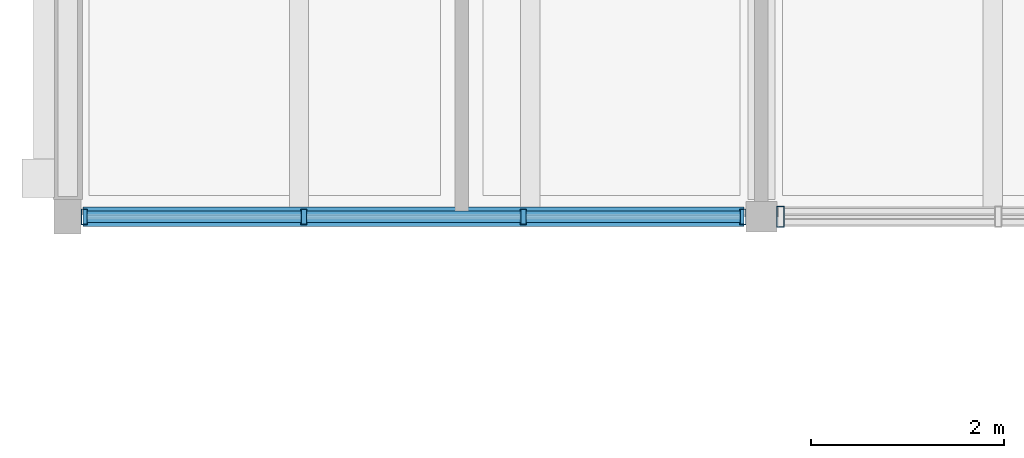
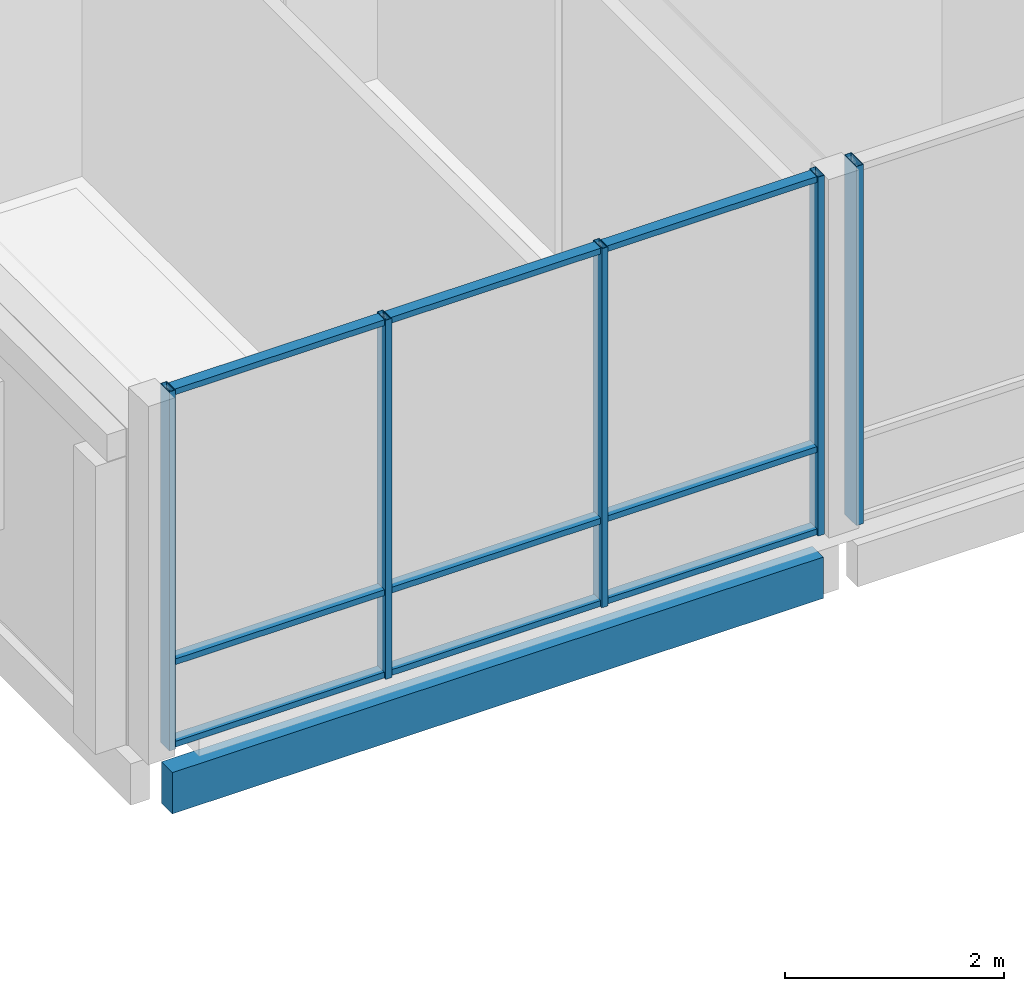
# One storey, part 9 of 115: 14 members, 1 beam, 2 elements without a shape of their own.
"""IFC4 building model written with IfcOpenShell, lengths in metres."""

from ifc_helpers import new_model, si_unit, direction, frame, origin, origin_2d, place, context, subcontext, project, spatial, rectangle, hollow_rectangle, extrude, material, material_profile, profile_set, type_object, element, aggregate, save


model = new_model("IFC4")

# Units and contexts
model_context = context("Model", 3, precision=1e-05, world=origin(), true_north=direction((0.0, 1.0)))
body_context = subcontext(model_context, "Body", "Model", "MODEL_VIEW")
ifc_project = project(units=[si_unit("LENGTHUNIT", "METRE"), si_unit("AREAUNIT", "SQUARE_METRE"), si_unit("VOLUMEUNIT", "CUBIC_METRE"), si_unit("PLANEANGLEUNIT", "RADIAN"), si_unit("MASSUNIT", "GRAM", prefix="KILO")], contexts=[model_context])

# Site, building, storey
site_placement = place(None, origin())
site = spatial("IfcSite", under=ifc_project, at=site_placement, CompositionType="ELEMENT")
building_placement = place(site_placement, origin())
building = spatial("IfcBuilding", under=site, at=building_placement, Name="Hawrajan Terrace Health Centre", CompositionType="ELEMENT")
storey_placement = place(building_placement, frame((0.0, 0.0, 9.0)))
storey = spatial("IfcBuildingStorey", under=building, at=storey_placement, Name="L02", CompositionType="ELEMENT", Elevation=9.0)

# Curtain wall, members
ifc_material_1 = material(Name="Anodized bronze aluminium and low-E solar glazing", Category="aluminium")
curtain_wall_type_1 = type_object("IfcCurtainWallType", Name="CW_Terrace_SeriesK1", PredefinedType="USERDEFINED", material=ifc_material_1)
curtain_wall_1_placement = place(storey_placement, origin())
curtain_wall_1 = element("IfcCurtainWall", 1, at=curtain_wall_1_placement, inside=storey, type_object=curtain_wall_type_1, Name="Curtain wall CW-L02-117", ObjectType="UNITISED CURTAIN WALL", PredefinedType="USERDEFINED")
ifc_material_2 = material(Name="Anodized bronze aluminium 6063-T6", Category="aluminium")
ifc_material_profile_1 = material_profile(ifc_material_2, hollow_rectangle(XDim=0.06494140625, YDim=0.159912109375, WallThickness=0.00390625, at=origin_2d()), Name="CW MUL 65x160")
ifc_profile_set_1 = profile_set([ifc_material_profile_1], Name="Anodized bronze aluminium 6063-T6")
member_type_1 = type_object("IfcMemberType", Name="CWMullion_65x160", PredefinedType="MULLION", material=ifc_profile_set_1)
member_1_placement = place(storey_placement, frame((4.7724609375, 27.199951171875, -0.0048828125), z_axis=(0.0, 0.0, 1.0), x_axis=(1.0, 0.0, 0.0)))
member_1 = element("IfcMember", 2, at=member_1_placement, type_object=member_type_1, Name="Mullion CW-L02-117-M1", PredefinedType="MULLION", context=body_context, shape_type="SweptSolid", body=[
    extrude(hollow_rectangle(XDim=0.06494140625, YDim=0.159912109375, WallThickness=0.00390625, at=origin_2d()), origin(), (0.0, 0.0, 1.0), 4.0),
])
member_2_placement = place(storey_placement, frame((7.05078125, 27.199951171875, -0.0048828125), z_axis=(0.0, 0.0, 1.0), x_axis=(1.0, 0.0, 0.0)))
member_2 = element("IfcMember", 3, at=member_2_placement, type_object=member_type_1, Name="Mullion CW-L02-117-M2", PredefinedType="MULLION", context=body_context, shape_type="SweptSolid", body=[
    extrude(hollow_rectangle(XDim=0.06494140625, YDim=0.159912109375, WallThickness=0.00390625, at=origin_2d()), origin(), (0.0, 0.0, 1.0), 4.0),
])
member_3_placement = place(storey_placement, frame((9.3291015625, 27.199951171875, -0.0048828125), z_axis=(0.0, 0.0, 1.0), x_axis=(1.0, 0.0, 0.0)))
member_3 = element("IfcMember", 4, at=member_3_placement, type_object=member_type_1, Name="Mullion CW-L02-117-M3", PredefinedType="MULLION", context=body_context, shape_type="SweptSolid", body=[
    extrude(hollow_rectangle(XDim=0.06494140625, YDim=0.159912109375, WallThickness=0.00390625, at=origin_2d()), origin(), (0.0, 0.0, 1.0), 4.0),
])
member_4_placement = place(storey_placement, frame((11.607421875, 27.199951171875, -0.0048828125), z_axis=(0.0, 0.0, 1.0), x_axis=(1.0, 0.0, 0.0)))
member_4 = element("IfcMember", 5, at=member_4_placement, type_object=member_type_1, Name="Mullion CW-L02-117-M4", PredefinedType="MULLION", context=body_context, shape_type="SweptSolid", body=[
    extrude(hollow_rectangle(XDim=0.06494140625, YDim=0.159912109375, WallThickness=0.00390625, at=origin_2d()), origin(), (0.0, 0.0, 1.0), 4.0),
])

# Curtain wall, member
curtain_wall_type_2 = type_object("IfcCurtainWallType", Name="CW_Diagnostic_SeriesM1", PredefinedType="USERDEFINED", material=ifc_material_1)
curtain_wall_2_placement = place(storey_placement, origin())
curtain_wall_2 = element("IfcCurtainWall", 6, at=curtain_wall_2_placement, inside=storey, type_object=curtain_wall_type_2, Name="Curtain wall CW-L02-119", ObjectType="UNITISED CURTAIN WALL", PredefinedType="USERDEFINED")
ifc_material_profile_2 = material_profile(ifc_material_2, hollow_rectangle(XDim=0.074951171875, YDim=0.219970703125, WallThickness=0.0048828125, at=origin_2d()), Name="CW MUL 75x220")
ifc_profile_set_2 = profile_set([ifc_material_profile_2], Name="Anodized bronze aluminium 6063-T6")
member_type_2 = type_object("IfcMemberType", Name="CWMullion_75x220", PredefinedType="MULLION", material=ifc_profile_set_2)
member_5_placement = place(storey_placement, frame((11.99755859375, 27.199951171875, -0.0048828125), z_axis=(0.0, 0.0, 1.0), x_axis=(1.0, 0.0, 0.0)))
member_5 = element("IfcMember", 7, at=member_5_placement, type_object=member_type_2, Name="Mullion CW-L02-119-M1", PredefinedType="MULLION", context=body_context, shape_type="SweptSolid", body=[
    extrude(hollow_rectangle(XDim=0.074951171875, YDim=0.219970703125, WallThickness=0.0048828125, at=origin_2d()), origin(), (0.0, 0.0, 1.0), 4.0),
])
aggregate(curtain_wall_2, [member_5])

# Member
ifc_material_profile_3 = material_profile(ifc_material_2, hollow_rectangle(XDim=0.06494140625, YDim=0.1201171875, WallThickness=0.00341796875, at=origin_2d()), Name="CW TRN 65x120")
ifc_profile_set_3 = profile_set([ifc_material_profile_3], Name="Anodized bronze aluminium 6063-T6")
member_type_3 = type_object("IfcMemberType", Name="CWTransom_65x120", PredefinedType="USERDEFINED", material=ifc_profile_set_3)
member_6_placement = place(storey_placement, frame((4.799072265625, 27.199951171875, 0.032470703125), z_axis=(1.0, 0.0, 0.0), x_axis=(0.0, 0.0, 1.0)))
member_6 = element("IfcMember", 8, at=member_6_placement, type_object=member_type_3, Name="Transom CW-L02-117-T1-1", ObjectType="TRANSOM", PredefinedType="USERDEFINED", context=body_context, shape_type="SweptSolid", body=[
    extrude(hollow_rectangle(XDim=0.06494140625, YDim=0.1201171875, WallThickness=0.00341796875, at=origin_2d()), origin(), (0.0, 0.0, 1.0), 2.225341796875),
])

member_7_placement = place(storey_placement, frame((4.799072265625, 27.199951171875, 0.949951171875), z_axis=(1.0, 0.0, 0.0), x_axis=(0.0, 0.0, 1.0)))
member_7 = element("IfcMember", 9, at=member_7_placement, type_object=member_type_3, Name="Transom CW-L02-117-T1-2", ObjectType="TRANSOM", PredefinedType="USERDEFINED", context=body_context, shape_type="SweptSolid", body=[
    extrude(hollow_rectangle(XDim=0.06494140625, YDim=0.1201171875, WallThickness=0.00341796875, at=origin_2d()), origin(), (0.0, 0.0, 1.0), 2.225341796875),
])

member_8_placement = place(storey_placement, frame((4.799072265625, 27.199951171875, 3.95751953125), z_axis=(1.0, 0.0, 0.0), x_axis=(0.0, 0.0, 1.0)))
member_8 = element("IfcMember", 10, at=member_8_placement, type_object=member_type_3, Name="Transom CW-L02-117-T1-3", ObjectType="TRANSOM", PredefinedType="USERDEFINED", context=body_context, shape_type="SweptSolid", body=[
    extrude(hollow_rectangle(XDim=0.06494140625, YDim=0.1201171875, WallThickness=0.00341796875, at=origin_2d()), origin(), (0.0, 0.0, 1.0), 2.225341796875),
])

member_9_placement = place(storey_placement, frame((7.077392578125, 27.199951171875, 0.032470703125), z_axis=(1.0, 0.0, 0.0), x_axis=(0.0, 0.0, 1.0)))
member_9 = element("IfcMember", 11, at=member_9_placement, type_object=member_type_3, Name="Transom CW-L02-117-T2-1", ObjectType="TRANSOM", PredefinedType="USERDEFINED", context=body_context, shape_type="SweptSolid", body=[
    extrude(hollow_rectangle(XDim=0.06494140625, YDim=0.1201171875, WallThickness=0.00341796875, at=origin_2d()), origin(), (0.0, 0.0, 1.0), 2.225341796875),
])

member_10_placement = place(storey_placement, frame((7.077392578125, 27.199951171875, 0.949951171875), z_axis=(1.0, 0.0, 0.0), x_axis=(0.0, 0.0, 1.0)))
member_10 = element("IfcMember", 12, at=member_10_placement, type_object=member_type_3, Name="Transom CW-L02-117-T2-2", ObjectType="TRANSOM", PredefinedType="USERDEFINED", context=body_context, shape_type="SweptSolid", body=[
    extrude(hollow_rectangle(XDim=0.06494140625, YDim=0.1201171875, WallThickness=0.00341796875, at=origin_2d()), origin(), (0.0, 0.0, 1.0), 2.225341796875),
])

member_11_placement = place(storey_placement, frame((7.077392578125, 27.199951171875, 3.95751953125), z_axis=(1.0, 0.0, 0.0), x_axis=(0.0, 0.0, 1.0)))
member_11 = element("IfcMember", 13, at=member_11_placement, type_object=member_type_3, Name="Transom CW-L02-117-T2-3", ObjectType="TRANSOM", PredefinedType="USERDEFINED", context=body_context, shape_type="SweptSolid", body=[
    extrude(hollow_rectangle(XDim=0.06494140625, YDim=0.1201171875, WallThickness=0.00341796875, at=origin_2d()), origin(), (0.0, 0.0, 1.0), 2.225341796875),
])

member_12_placement = place(storey_placement, frame((9.355712890625, 27.199951171875, 0.032470703125), z_axis=(1.0, 0.0, 0.0), x_axis=(0.0, 0.0, 1.0)))
member_12 = element("IfcMember", 14, at=member_12_placement, type_object=member_type_3, Name="Transom CW-L02-117-T3-1", ObjectType="TRANSOM", PredefinedType="USERDEFINED", context=body_context, shape_type="SweptSolid", body=[
    extrude(hollow_rectangle(XDim=0.06494140625, YDim=0.1201171875, WallThickness=0.00341796875, at=origin_2d()), origin(), (0.0, 0.0, 1.0), 2.225341796875),
])

member_13_placement = place(storey_placement, frame((9.355712890625, 27.199951171875, 0.949951171875), z_axis=(1.0, 0.0, 0.0), x_axis=(0.0, 0.0, 1.0)))
member_13 = element("IfcMember", 15, at=member_13_placement, type_object=member_type_3, Name="Transom CW-L02-117-T3-2", ObjectType="TRANSOM", PredefinedType="USERDEFINED", context=body_context, shape_type="SweptSolid", body=[
    extrude(hollow_rectangle(XDim=0.06494140625, YDim=0.1201171875, WallThickness=0.00341796875, at=origin_2d()), origin(), (0.0, 0.0, 1.0), 2.225341796875),
])

member_14_placement = place(storey_placement, frame((9.355712890625, 27.199951171875, 3.95751953125), z_axis=(1.0, 0.0, 0.0), x_axis=(0.0, 0.0, 1.0)))
member_14 = element("IfcMember", 16, at=member_14_placement, type_object=member_type_3, Name="Transom CW-L02-117-T3-3", ObjectType="TRANSOM", PredefinedType="USERDEFINED", context=body_context, shape_type="SweptSolid", body=[
    extrude(hollow_rectangle(XDim=0.06494140625, YDim=0.1201171875, WallThickness=0.00341796875, at=origin_2d()), origin(), (0.0, 0.0, 1.0), 2.225341796875),
])

aggregate(curtain_wall_1, [member_1, member_2, member_3, member_4, member_6, member_7, member_8, member_9, member_10, member_11, member_12, member_13, member_14])

# Beam
ifc_material_3 = material(Name="Glulam GL32h", Category="wood")
ifc_material_profile_4 = material_profile(ifc_material_3, rectangle(XDim=0.199951171875, YDim=0.4599609375, at=origin_2d()), Name="GL SP 200x460")
ifc_profile_set_4 = profile_set([ifc_material_profile_4], Name="Glulam GL32h")
beam_type = type_object("IfcBeamType", Name="GlulamSpandrel_200x460", PredefinedType="SPANDREL", material=ifc_profile_set_4)
beam_placement = place(storey_placement, frame((4.760009765625, 27.199951171875, -0.469970703125), z_axis=(1.0, 0.0, 0.0), x_axis=(0.0, 1.0, 0.0)))
element("IfcBeam", 17, at=beam_placement, inside=storey, type_object=beam_type, Name="Beam BM-X-L02-W-01-Y4", PredefinedType="SPANDREL", context=body_context, shape_type="SweptSolid", body=[
    extrude(rectangle(XDim=0.199951171875, YDim=0.4599609375, at=origin_2d()), origin(), (0.0, 0.0, 1.0), 6.860107421875),
])

save(model, "model.ifc")
